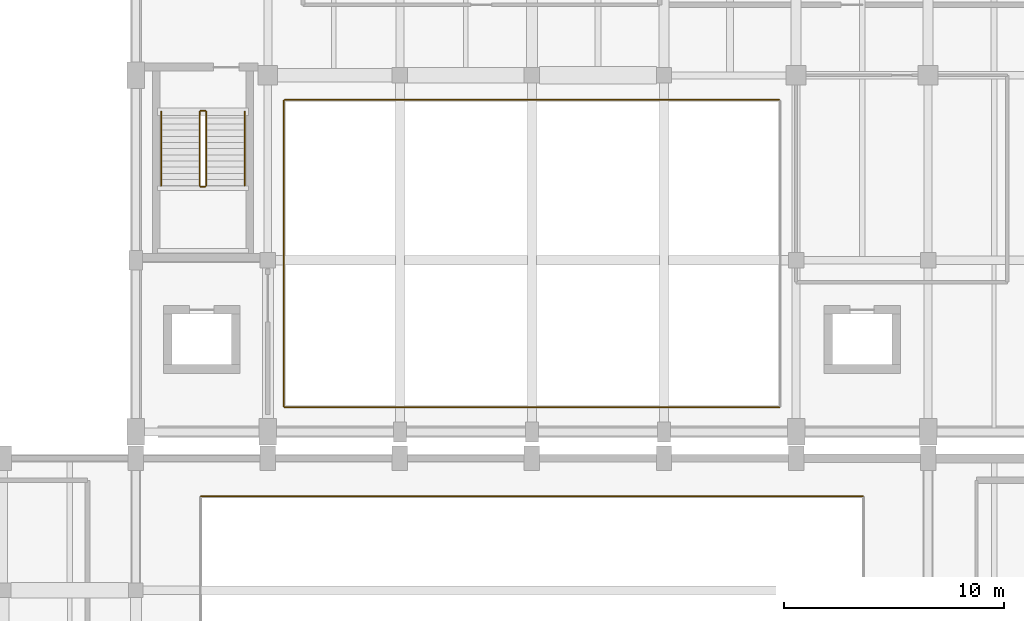
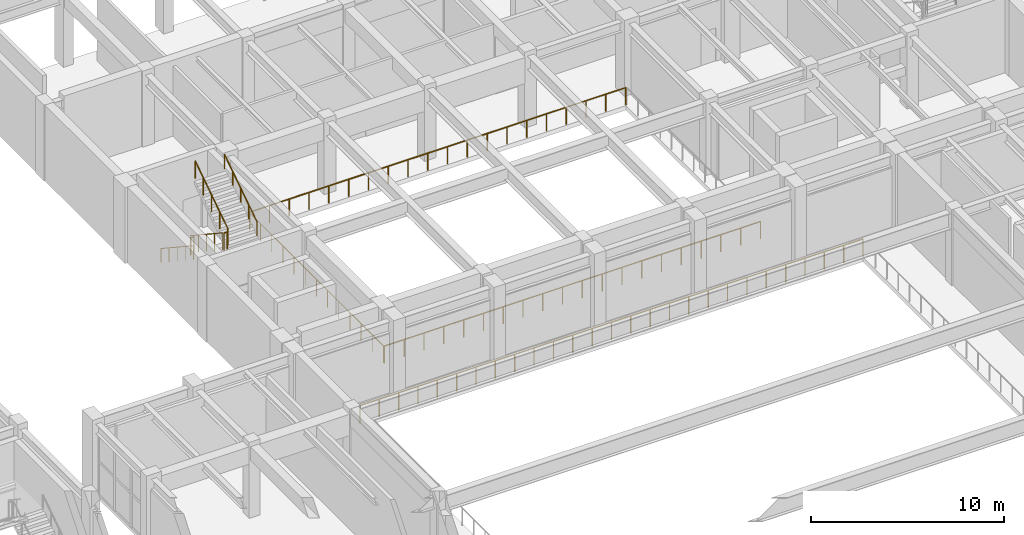
# One storey, part 82 of 85: 10 railings.
"""IFC4 building model written with IfcOpenShell, lengths in metres."""

from ifc_helpers import new_model, si_unit, direction, frame, origin, origin_2d, place, context, subcontext, project, spatial, circle, extrude, material, type_object, element, save


model = new_model("IFC4")

# Units and contexts
model_context = context("Model", 3, precision=1e-05, world=origin(), true_north=direction((0.0, 1.0)))
body_context = subcontext(model_context, "Body", "Model", "MODEL_VIEW")
ifc_project = project(units=[si_unit("LENGTHUNIT", "METRE"), si_unit("AREAUNIT", "SQUARE_METRE"), si_unit("VOLUMEUNIT", "CUBIC_METRE"), si_unit("PLANEANGLEUNIT", "RADIAN"), si_unit("MASSUNIT", "GRAM", prefix="KILO")], contexts=[model_context])

# Site, building, storey
site_placement = place(None, origin())
site = spatial("IfcSite", under=ifc_project, at=site_placement, CompositionType="ELEMENT")
building_placement = place(site_placement, origin())
building = spatial("IfcBuilding", under=site, at=building_placement, Name="Vaelkrest Opera House", CompositionType="ELEMENT")
storey_placement = place(building_placement, frame((0.0, 0.0, 10.199951171875)))
storey = spatial("IfcBuildingStorey", under=building, at=storey_placement, Name="L02", CompositionType="ELEMENT", Elevation=10.199951171875)

# Railings
ifc_material = material(Name="Dark bronze anodized aluminium", Category="aluminium")
railing_type_1 = type_object("IfcRailingType", Name="BL01", PredefinedType="BALUSTRADE", material=ifc_material)
railing_1_placement = place(storey_placement, frame((15.0400390625, 14.47998046875, 0.0)))
element("IfcRailing", 1, at=railing_1_placement, inside=storey, type_object=railing_type_1, Name="Atrium/stage void guard V1 L02-1 seg 3", PredefinedType="BALUSTRADE", context=body_context, shape_type="SweptSolid", body=[
    extrude(circle(Radius=0.02392578125, at=origin_2d()), frame((0.0, 0.0, 1.09619140625), z_axis=(-1.0, 0.0, 0.0), x_axis=(0.0, -1.0, 0.0)), (0.0, 0.0, 1.0), 30.080078125),
    extrude(circle(Radius=0.02099609375, at=origin_2d()), origin(), (0.0, 0.0, 1.0), 1.072021484375),
    extrude(circle(Radius=0.02099609375, at=origin_2d()), frame((-1.156982421875, 0.0, 0.0)), (0.0, 0.0, 1.0), 1.072021484375),
    extrude(circle(Radius=0.02099609375, at=origin_2d()), frame((-2.31396484375, 0.0, 0.0)), (0.0, 0.0, 1.0), 1.072021484375),
    extrude(circle(Radius=0.02099609375, at=origin_2d()), frame((-3.470703125, 0.0, 0.0)), (0.0, 0.0, 1.0), 1.072021484375),
    extrude(circle(Radius=0.02099609375, at=origin_2d()), frame((-4.627685546875, 0.0, 0.0)), (0.0, 0.0, 1.0), 1.072021484375),
    extrude(circle(Radius=0.02099609375, at=origin_2d()), frame((-5.78466796875, 0.0, 0.0)), (0.0, 0.0, 1.0), 1.072021484375),
    extrude(circle(Radius=0.02099609375, at=origin_2d()), frame((-6.941650390625, 0.0, 0.0)), (0.0, 0.0, 1.0), 1.072021484375),
    extrude(circle(Radius=0.02099609375, at=origin_2d()), frame((-8.098388671875, 0.0, 0.0)), (0.0, 0.0, 1.0), 1.072021484375),
    extrude(circle(Radius=0.02099609375, at=origin_2d()), frame((-9.25537109375, 0.0, 0.0)), (0.0, 0.0, 1.0), 1.072021484375),
    extrude(circle(Radius=0.02099609375, at=origin_2d()), frame((-10.412353515625, 0.0, 0.0)), (0.0, 0.0, 1.0), 1.072021484375),
    extrude(circle(Radius=0.02099609375, at=origin_2d()), frame((-11.5693359375, 0.0, 0.0)), (0.0, 0.0, 1.0), 1.072021484375),
    extrude(circle(Radius=0.02099609375, at=origin_2d()), frame((-12.72607421875, 0.0, 0.0)), (0.0, 0.0, 1.0), 1.072021484375),
    extrude(circle(Radius=0.02099609375, at=origin_2d()), frame((-13.883056640625, 0.0, 0.0)), (0.0, 0.0, 1.0), 1.072021484375),
    extrude(circle(Radius=0.02099609375, at=origin_2d()), frame((-15.0400390625, 0.0, 0.0)), (0.0, 0.0, 1.0), 1.072021484375),
    extrude(circle(Radius=0.02099609375, at=origin_2d()), frame((-16.197021484375, 0.0, 0.0)), (0.0, 0.0, 1.0), 1.072021484375),
    extrude(circle(Radius=0.02099609375, at=origin_2d()), frame((-17.35400390625, 0.0, 0.0)), (0.0, 0.0, 1.0), 1.072021484375),
    extrude(circle(Radius=0.02099609375, at=origin_2d()), frame((-18.5107421875, 0.0, 0.0)), (0.0, 0.0, 1.0), 1.072021484375),
    extrude(circle(Radius=0.02099609375, at=origin_2d()), frame((-19.667724609375, 0.0, 0.0)), (0.0, 0.0, 1.0), 1.072021484375),
    extrude(circle(Radius=0.02099609375, at=origin_2d()), frame((-20.82470703125, 0.0, 0.0)), (0.0, 0.0, 1.0), 1.072021484375),
    extrude(circle(Radius=0.02099609375, at=origin_2d()), frame((-21.981689453125, 0.0, 0.0)), (0.0, 0.0, 1.0), 1.072021484375),
    extrude(circle(Radius=0.02099609375, at=origin_2d()), frame((-23.138427734375, 0.0, 0.0)), (0.0, 0.0, 1.0), 1.072021484375),
    extrude(circle(Radius=0.02099609375, at=origin_2d()), frame((-24.29541015625, 0.0, 0.0)), (0.0, 0.0, 1.0), 1.072021484375),
    extrude(circle(Radius=0.02099609375, at=origin_2d()), frame((-25.452392578125, 0.0, 0.0)), (0.0, 0.0, 1.0), 1.072021484375),
    extrude(circle(Radius=0.02099609375, at=origin_2d()), frame((-26.609375, 0.0, 0.0)), (0.0, 0.0, 1.0), 1.072021484375),
    extrude(circle(Radius=0.02099609375, at=origin_2d()), frame((-27.76611328125, 0.0, 0.0)), (0.0, 0.0, 1.0), 1.072021484375),
    extrude(circle(Radius=0.02099609375, at=origin_2d()), frame((-28.923095703125, 0.0, 0.0)), (0.0, 0.0, 1.0), 1.072021484375),
    extrude(circle(Radius=0.02099609375, at=origin_2d()), frame((-30.080078125, 0.0, 0.0)), (0.0, 0.0, 1.0), 1.072021484375),
])
railing_type_2 = type_object("IfcRailingType", Name="GR01", PredefinedType="GUARDRAIL", material=ifc_material)
railing_2_placement = place(storey_placement, frame((-11.239990234375, 18.52001953125, 0.0)))
element("IfcRailing", 2, at=railing_2_placement, inside=storey, type_object=railing_type_2, Name="Atrium/stage void guard V2 L02-1 seg 1", PredefinedType="GUARDRAIL", context=body_context, shape_type="SweptSolid", body=[
    extrude(circle(Radius=0.02392578125, at=origin_2d()), frame((0.0, 0.0, 1.076171875), z_axis=(1.0, 0.0, 0.0), x_axis=(0.0, 1.0, 0.0)), (0.0, 0.0, 1.0), 22.47998046875),
    extrude(circle(Radius=0.02099609375, at=origin_2d()), origin(), (0.0, 0.0, 1.0), 1.052001953125),
    extrude(circle(Radius=0.02099609375, at=origin_2d()), frame((1.18310546875, 0.0, 0.0)), (0.0, 0.0, 1.0), 1.052001953125),
    extrude(circle(Radius=0.02099609375, at=origin_2d()), frame((2.3662109375, 0.0, 0.0)), (0.0, 0.0, 1.0), 1.052001953125),
    extrude(circle(Radius=0.02099609375, at=origin_2d()), frame((3.549560546875, 0.0, 0.0)), (0.0, 0.0, 1.0), 1.052001953125),
    extrude(circle(Radius=0.02099609375, at=origin_2d()), frame((4.732666015625, 0.0, 0.0)), (0.0, 0.0, 1.0), 1.052001953125),
    extrude(circle(Radius=0.02099609375, at=origin_2d()), frame((5.915771484375, 0.0, 0.0)), (0.0, 0.0, 1.0), 1.052001953125),
    extrude(circle(Radius=0.02099609375, at=origin_2d()), frame((7.098876953125, 0.0, 0.0)), (0.0, 0.0, 1.0), 1.052001953125),
    extrude(circle(Radius=0.02099609375, at=origin_2d()), frame((8.281982421875, 0.0, 0.0)), (0.0, 0.0, 1.0), 1.052001953125),
    extrude(circle(Radius=0.02099609375, at=origin_2d()), frame((9.46533203125, 0.0, 0.0)), (0.0, 0.0, 1.0), 1.052001953125),
    extrude(circle(Radius=0.02099609375, at=origin_2d()), frame((10.6484375, 0.0, 0.0)), (0.0, 0.0, 1.0), 1.052001953125),
    extrude(circle(Radius=0.02099609375, at=origin_2d()), frame((11.83154296875, 0.0, 0.0)), (0.0, 0.0, 1.0), 1.052001953125),
    extrude(circle(Radius=0.02099609375, at=origin_2d()), frame((13.0146484375, 0.0, 0.0)), (0.0, 0.0, 1.0), 1.052001953125),
    extrude(circle(Radius=0.02099609375, at=origin_2d()), frame((14.197998046875, 0.0, 0.0)), (0.0, 0.0, 1.0), 1.052001953125),
    extrude(circle(Radius=0.02099609375, at=origin_2d()), frame((15.381103515625, 0.0, 0.0)), (0.0, 0.0, 1.0), 1.052001953125),
    extrude(circle(Radius=0.02099609375, at=origin_2d()), frame((16.564208984375, 0.0, 0.0)), (0.0, 0.0, 1.0), 1.052001953125),
    extrude(circle(Radius=0.02099609375, at=origin_2d()), frame((17.747314453125, 0.0, 0.0)), (0.0, 0.0, 1.0), 1.052001953125),
    extrude(circle(Radius=0.02099609375, at=origin_2d()), frame((18.930419921875, 0.0, 0.0)), (0.0, 0.0, 1.0), 1.052001953125),
    extrude(circle(Radius=0.02099609375, at=origin_2d()), frame((20.11376953125, 0.0, 0.0)), (0.0, 0.0, 1.0), 1.052001953125),
    extrude(circle(Radius=0.02099609375, at=origin_2d()), frame((21.296875, 0.0, 0.0)), (0.0, 0.0, 1.0), 1.052001953125),
    extrude(circle(Radius=0.02099609375, at=origin_2d()), frame((22.47998046875, 0.0, 0.0)), (0.0, 0.0, 1.0), 1.052001953125),
])
railing_3_placement = place(storey_placement, frame((11.239990234375, 32.47998046875, 0.0)))
element("IfcRailing", 3, at=railing_3_placement, inside=storey, type_object=railing_type_2, Name="Atrium/stage void guard V2 L02-1 seg 3", PredefinedType="GUARDRAIL", context=body_context, shape_type="SweptSolid", body=[
    extrude(circle(Radius=0.02392578125, at=origin_2d()), frame((0.0, 0.0, 1.076171875), z_axis=(-1.0, 0.0, 0.0), x_axis=(0.0, -1.0, 0.0)), (0.0, 0.0, 1.0), 22.47998046875),
    extrude(circle(Radius=0.02099609375, at=origin_2d()), origin(), (0.0, 0.0, 1.0), 1.052001953125),
    extrude(circle(Radius=0.02099609375, at=origin_2d()), frame((-1.18310546875, 0.0, 0.0)), (0.0, 0.0, 1.0), 1.052001953125),
    extrude(circle(Radius=0.02099609375, at=origin_2d()), frame((-2.3662109375, 0.0, 0.0)), (0.0, 0.0, 1.0), 1.052001953125),
    extrude(circle(Radius=0.02099609375, at=origin_2d()), frame((-3.549560546875, 0.0, 0.0)), (0.0, 0.0, 1.0), 1.052001953125),
    extrude(circle(Radius=0.02099609375, at=origin_2d()), frame((-4.732666015625, 0.0, 0.0)), (0.0, 0.0, 1.0), 1.052001953125),
    extrude(circle(Radius=0.02099609375, at=origin_2d()), frame((-5.915771484375, 0.0, 0.0)), (0.0, 0.0, 1.0), 1.052001953125),
    extrude(circle(Radius=0.02099609375, at=origin_2d()), frame((-7.098876953125, 0.0, 0.0)), (0.0, 0.0, 1.0), 1.052001953125),
    extrude(circle(Radius=0.02099609375, at=origin_2d()), frame((-8.281982421875, 0.0, 0.0)), (0.0, 0.0, 1.0), 1.052001953125),
    extrude(circle(Radius=0.02099609375, at=origin_2d()), frame((-9.46533203125, 0.0, 0.0)), (0.0, 0.0, 1.0), 1.052001953125),
    extrude(circle(Radius=0.02099609375, at=origin_2d()), frame((-10.6484375, 0.0, 0.0)), (0.0, 0.0, 1.0), 1.052001953125),
    extrude(circle(Radius=0.02099609375, at=origin_2d()), frame((-11.83154296875, 0.0, 0.0)), (0.0, 0.0, 1.0), 1.052001953125),
    extrude(circle(Radius=0.02099609375, at=origin_2d()), frame((-13.0146484375, 0.0, 0.0)), (0.0, 0.0, 1.0), 1.052001953125),
    extrude(circle(Radius=0.02099609375, at=origin_2d()), frame((-14.197998046875, 0.0, 0.0)), (0.0, 0.0, 1.0), 1.052001953125),
    extrude(circle(Radius=0.02099609375, at=origin_2d()), frame((-15.381103515625, 0.0, 0.0)), (0.0, 0.0, 1.0), 1.052001953125),
    extrude(circle(Radius=0.02099609375, at=origin_2d()), frame((-16.564208984375, 0.0, 0.0)), (0.0, 0.0, 1.0), 1.052001953125),
    extrude(circle(Radius=0.02099609375, at=origin_2d()), frame((-17.747314453125, 0.0, 0.0)), (0.0, 0.0, 1.0), 1.052001953125),
    extrude(circle(Radius=0.02099609375, at=origin_2d()), frame((-18.930419921875, 0.0, 0.0)), (0.0, 0.0, 1.0), 1.052001953125),
    extrude(circle(Radius=0.02099609375, at=origin_2d()), frame((-20.11376953125, 0.0, 0.0)), (0.0, 0.0, 1.0), 1.052001953125),
    extrude(circle(Radius=0.02099609375, at=origin_2d()), frame((-21.296875, 0.0, 0.0)), (0.0, 0.0, 1.0), 1.052001953125),
    extrude(circle(Radius=0.02099609375, at=origin_2d()), frame((-22.47998046875, 0.0, 0.0)), (0.0, 0.0, 1.0), 1.052001953125),
])
railing_4_placement = place(storey_placement, frame((-11.280029296875, 32.43994140625, 0.0)))
element("IfcRailing", 4, at=railing_4_placement, inside=storey, type_object=railing_type_2, Name="Atrium/stage void guard V2 L02-1 seg 4", PredefinedType="GUARDRAIL", context=body_context, shape_type="SweptSolid", body=[
    extrude(circle(Radius=0.02392578125, at=origin_2d()), frame((0.0, 0.0, 1.076171875), z_axis=(0.0, -1.0, 0.0), x_axis=(1.0, 0.0, 0.0)), (0.0, 0.0, 1.0), 13.8798828125),
    extrude(circle(Radius=0.02099609375, at=origin_2d()), origin(), (0.0, 0.0, 1.0), 1.052001953125),
    extrude(circle(Radius=0.02099609375, at=origin_2d()), frame((0.0, -1.15673828125, 0.0)), (0.0, 0.0, 1.0), 1.052001953125),
    extrude(circle(Radius=0.02099609375, at=origin_2d()), frame((0.0, -2.313232421875, 0.0)), (0.0, 0.0, 1.0), 1.052001953125),
    extrude(circle(Radius=0.02099609375, at=origin_2d()), frame((0.0, -3.469970703125, 0.0)), (0.0, 0.0, 1.0), 1.052001953125),
    extrude(circle(Radius=0.02099609375, at=origin_2d()), frame((0.0, -4.626708984375, 0.0)), (0.0, 0.0, 1.0), 1.052001953125),
    extrude(circle(Radius=0.02099609375, at=origin_2d()), frame((0.0, -5.783203125, 0.0)), (0.0, 0.0, 1.0), 1.052001953125),
    extrude(circle(Radius=0.02099609375, at=origin_2d()), frame((0.0, -6.93994140625, 0.0)), (0.0, 0.0, 1.0), 1.052001953125),
    extrude(circle(Radius=0.02099609375, at=origin_2d()), frame((0.0, -8.0966796875, 0.0)), (0.0, 0.0, 1.0), 1.052001953125),
    extrude(circle(Radius=0.02099609375, at=origin_2d()), frame((0.0, -9.253173828125, 0.0)), (0.0, 0.0, 1.0), 1.052001953125),
    extrude(circle(Radius=0.02099609375, at=origin_2d()), frame((0.0, -10.409912109375, 0.0)), (0.0, 0.0, 1.0), 1.052001953125),
    extrude(circle(Radius=0.02099609375, at=origin_2d()), frame((0.0, -11.566650390625, 0.0)), (0.0, 0.0, 1.0), 1.052001953125),
    extrude(circle(Radius=0.02099609375, at=origin_2d()), frame((0.0, -12.72314453125, 0.0)), (0.0, 0.0, 1.0), 1.052001953125),
    extrude(circle(Radius=0.02099609375, at=origin_2d()), frame((0.0, -13.8798828125, 0.0)), (0.0, 0.0, 1.0), 1.052001953125),
])
railing_type_3 = type_object("IfcRailingType", Name="GR02", PredefinedType="GUARDRAIL", material=ifc_material)
railing_5_placement = place(storey_placement, frame((-15.10009765625, 31.949951171875, 0.1845703125)))
element("IfcRailing", 5, at=railing_5_placement, inside=storey, type_object=railing_type_3, Name="L02 ST05 stair guard 1", PredefinedType="GUARDRAIL", context=body_context, shape_type="SweptSolid", body=[
    extrude(circle(Radius=0.02392578125, at=origin_2d()), frame((0.0, 0.0, 1.076171875), z_axis=(0.0, -0.83483021737, 0.550507500554), x_axis=(1.0, 0.0, 0.0)), (0.0, 0.0, 1.0), 4.024658203125),
    extrude(circle(Radius=0.02099609375, at=origin_2d()), origin(), (0.0, 0.0, 1.0), 1.052001953125),
    extrude(circle(Radius=0.02099609375, at=origin_2d()), frame((0.0, -0.83984375, 0.553955078125)), (0.0, 0.0, 1.0), 1.052001953125),
    extrude(circle(Radius=0.02099609375, at=origin_2d()), frame((0.0, -1.679931640625, 1.10791015625)), (0.0, 0.0, 1.0), 1.052001953125),
    extrude(circle(Radius=0.02099609375, at=origin_2d()), frame((0.0, -2.52001953125, 1.66162109375)), (0.0, 0.0, 1.0), 1.052001953125),
    extrude(circle(Radius=0.02099609375, at=origin_2d()), frame((0.0, -3.35986328125, 2.215576171875)), (0.0, 0.0, 1.0), 1.052001953125),
])
railing_6_placement = place(storey_placement, frame((-15.050048828125, 28.5400390625, 2.400146484375)))
element("IfcRailing", 6, at=railing_6_placement, inside=storey, type_object=railing_type_3, Name="L02 ST05 stair guard 2", PredefinedType="GUARDRAIL", context=body_context, shape_type="SweptSolid", body=[
    extrude(circle(Radius=0.02392578125, at=origin_2d()), frame((0.0, 0.0, 1.076171875), z_axis=(1.0, 0.0, 0.0), x_axis=(0.0, 1.0, 0.0)), (0.0, 0.0, 1.0), 0.199951171875),
    extrude(circle(Radius=0.02099609375, at=origin_2d()), origin(), (0.0, 0.0, 1.0), 1.052001953125),
    extrude(circle(Radius=0.02099609375, at=origin_2d()), frame((0.199951171875, 0.0, 0.0)), (0.0, 0.0, 1.0), 1.052001953125),
])
railing_7_placement = place(storey_placement, frame((-14.800048828125, 28.590087890625, 2.584716796875)))
element("IfcRailing", 7, at=railing_7_placement, inside=storey, type_object=railing_type_3, Name="L02 ST05 stair guard 3", PredefinedType="GUARDRAIL", context=body_context, shape_type="SweptSolid", body=[
    extrude(circle(Radius=0.02392578125, at=origin_2d()), frame((0.0, 0.0, 1.076171875), z_axis=(0.0, 0.834858096282, 0.550465220583), x_axis=(-1.0, 0.0, 0.0)), (0.0, 0.0, 1.0), 4.0244140625),
    extrude(circle(Radius=0.02099609375, at=origin_2d()), origin(), (0.0, 0.0, 1.0), 1.052001953125),
    extrude(circle(Radius=0.02099609375, at=origin_2d()), frame((0.0, 0.83984375, 0.5537109375)), (0.0, 0.0, 1.0), 1.052001953125),
    extrude(circle(Radius=0.02099609375, at=origin_2d()), frame((0.0, 1.679931640625, 1.107666015625)), (0.0, 0.0, 1.0), 1.052001953125),
    extrude(circle(Radius=0.02099609375, at=origin_2d()), frame((0.0, 2.52001953125, 1.66162109375)), (0.0, 0.0, 1.0), 1.052001953125),
    extrude(circle(Radius=0.02099609375, at=origin_2d()), frame((0.0, 3.35986328125, 2.21533203125)), (0.0, 0.0, 1.0), 1.052001953125),
])
railing_8_placement = place(storey_placement, frame((-15.050048828125, 32.0, 0.0)))
element("IfcRailing", 8, at=railing_8_placement, inside=storey, type_object=railing_type_3, Name="L02 ST05 stair guard 4", PredefinedType="GUARDRAIL", context=body_context, shape_type="SweptSolid", body=[
    extrude(circle(Radius=0.02392578125, at=origin_2d()), frame((0.0, 0.0, 1.076171875), z_axis=(1.0, 0.0, 0.0), x_axis=(0.0, 1.0, 0.0)), (0.0, 0.0, 1.0), 0.199951171875),
    extrude(circle(Radius=0.02099609375, at=origin_2d()), origin(), (0.0, 0.0, 1.0), 1.052001953125),
    extrude(circle(Radius=0.02099609375, at=origin_2d()), frame((0.199951171875, 0.0, 0.0)), (0.0, 0.0, 1.0), 1.052001953125),
])
railing_type_4 = type_object("IfcRailingType", Name="HR02", PredefinedType="HANDRAIL", material=ifc_material)
railing_9_placement = place(storey_placement, frame((-16.85009765625, 31.949951171875, 0.1845703125)))
element("IfcRailing", 9, at=railing_9_placement, inside=storey, type_object=railing_type_4, Name="L02 ST05 stair handrail 1", PredefinedType="HANDRAIL", context=body_context, shape_type="SweptSolid", body=[
    extrude(circle(Radius=0.02392578125, at=origin_2d()), frame((0.0, 0.0, 0.8759765625), z_axis=(0.0, -0.83483021737, 0.550507500554), x_axis=(1.0, 0.0, 0.0)), (0.0, 0.0, 1.0), 4.024658203125),
    extrude(circle(Radius=0.02099609375, at=origin_2d()), origin(), (0.0, 0.0, 1.0), 0.851806640625),
    extrude(circle(Radius=0.02099609375, at=origin_2d()), frame((0.0, -0.83984375, 0.553955078125)), (0.0, 0.0, 1.0), 0.851806640625),
    extrude(circle(Radius=0.02099609375, at=origin_2d()), frame((0.0, -1.679931640625, 1.10791015625)), (0.0, 0.0, 1.0), 0.851806640625),
    extrude(circle(Radius=0.02099609375, at=origin_2d()), frame((0.0, -2.52001953125, 1.66162109375)), (0.0, 0.0, 1.0), 0.851806640625),
    extrude(circle(Radius=0.02099609375, at=origin_2d()), frame((0.0, -3.35986328125, 2.215576171875)), (0.0, 0.0, 1.0), 0.851806640625),
])
railing_10_placement = place(storey_placement, frame((-13.050048828125, 28.590087890625, 2.584716796875)))
element("IfcRailing", 10, at=railing_10_placement, inside=storey, type_object=railing_type_4, Name="L02 ST05 stair handrail 2", PredefinedType="HANDRAIL", context=body_context, shape_type="SweptSolid", body=[
    extrude(circle(Radius=0.02392578125, at=origin_2d()), frame((0.0, 0.0, 0.8759765625), z_axis=(0.0, 0.834858096282, 0.550465220583), x_axis=(-1.0, 0.0, 0.0)), (0.0, 0.0, 1.0), 4.0244140625),
    extrude(circle(Radius=0.02099609375, at=origin_2d()), origin(), (0.0, 0.0, 1.0), 0.851806640625),
    extrude(circle(Radius=0.02099609375, at=origin_2d()), frame((0.0, 0.83984375, 0.5537109375)), (0.0, 0.0, 1.0), 0.851806640625),
    extrude(circle(Radius=0.02099609375, at=origin_2d()), frame((0.0, 1.679931640625, 1.107666015625)), (0.0, 0.0, 1.0), 0.851806640625),
    extrude(circle(Radius=0.02099609375, at=origin_2d()), frame((0.0, 2.52001953125, 1.66162109375)), (0.0, 0.0, 1.0), 0.851806640625),
    extrude(circle(Radius=0.02099609375, at=origin_2d()), frame((0.0, 3.35986328125, 2.21533203125)), (0.0, 0.0, 1.0), 0.851806640625),
])

save(model, "model.ifc")
